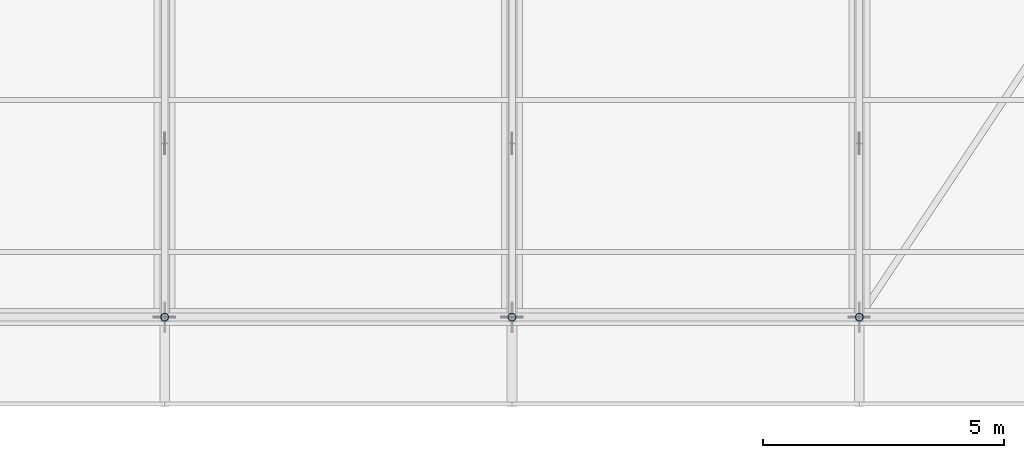
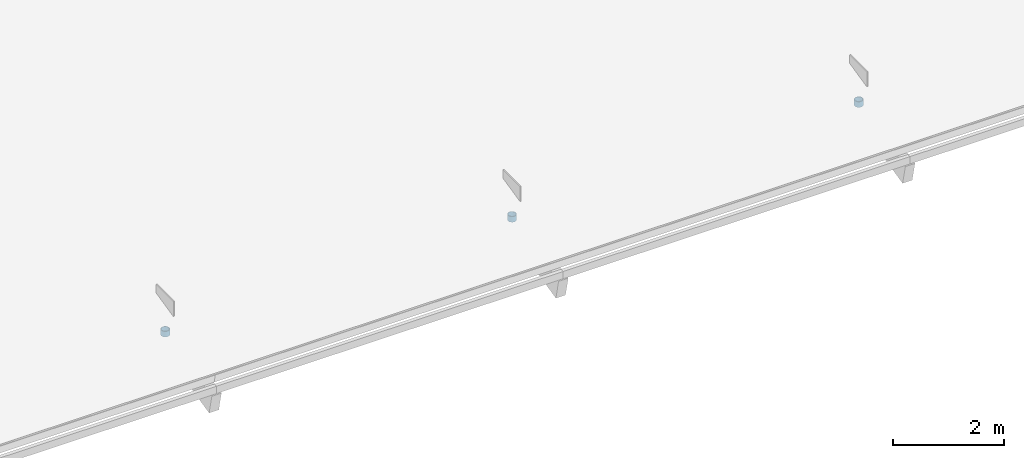
# One storey, part 61 of 93: 3 members.
"""IFC4 building model written with IfcOpenShell, lengths in metres."""

from ifc_helpers import new_model, si_unit, direction, frame, origin, origin_2d, place, context, subcontext, project, spatial, hollow_circle, extrude, material, material_profile, profile_set, type_object, element, save


model = new_model("IFC4")

# Units and contexts
model_context = context("Model", 3, precision=1e-05, world=origin(), true_north=direction((0.0, 1.0)))
body_context = subcontext(model_context, "Body", "Model", "MODEL_VIEW")
ifc_project = project(units=[si_unit("LENGTHUNIT", "METRE"), si_unit("AREAUNIT", "SQUARE_METRE"), si_unit("VOLUMEUNIT", "CUBIC_METRE"), si_unit("PLANEANGLEUNIT", "RADIAN"), si_unit("MASSUNIT", "GRAM", prefix="KILO")], contexts=[model_context])

# Site, building, storey
site_placement = place(None, origin())
site = spatial("IfcSite", under=ifc_project, at=site_placement, CompositionType="ELEMENT")
building_placement = place(site_placement, origin())
building = spatial("IfcBuilding", under=site, at=building_placement, Name="Zornivar Specialist Clinic", CompositionType="ELEMENT")
storey_placement = place(building_placement, frame((0.0, 0.0, 8.39990234375)))
storey = spatial("IfcBuildingStorey", under=building, at=storey_placement, Name="L02", CompositionType="ELEMENT", Elevation=8.39990234375)

# Members
ifc_material = material(Name="Steel S355J2", Category="steel")
ifc_material_profile = material_profile(ifc_material, hollow_circle(Radius=0.084228515625, WallThickness=0.010009765625, at=origin_2d()), Name="CHS 168.3x10")
ifc_profile_set = profile_set([ifc_material_profile], Name="Steel S355J2")
member_type = type_object("IfcMemberType", Name="MEM-STRUT-CHS168", PredefinedType="STRUT", material=ifc_profile_set)
for number, where, z_axis, x_axis, name in (
    (1, (144.0, 0.0, -0.079833984375), (0.0, 0.0, -1.0), (1.0, 0.0, 0.0), "mem:V4:L02:post:3:S"),
    (2, (151.199951171875, 0.0, -0.079833984375), (0.0, 0.0, -1.0), (1.0, 0.0, 0.0), "mem:V4:L02:post:4:S"),
    (3, (158.39990234375, 0.0, -0.079833984375), (0.0, 0.0, -1.0), (1.0, 0.0, 0.0), "mem:V4:L02:post:5:S"),
):
    element("IfcMember", number, at=place(storey_placement, frame(where, z_axis=z_axis, x_axis=x_axis)), inside=storey, type_object=member_type, Name=name, PredefinedType="STRUT", context=body_context, shape_type="SweptSolid", body=[
        extrude(hollow_circle(Radius=0.084228515625, WallThickness=0.010009765625, at=origin_2d()), origin(), (0.0, 0.0, 1.0), 0.123046875),
    ])

save(model, "model.ifc")
